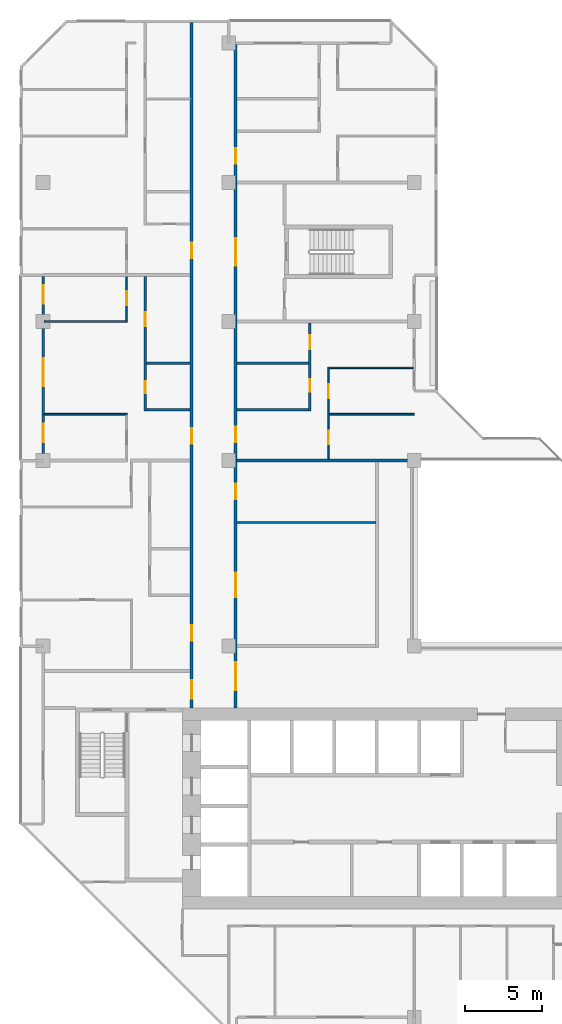
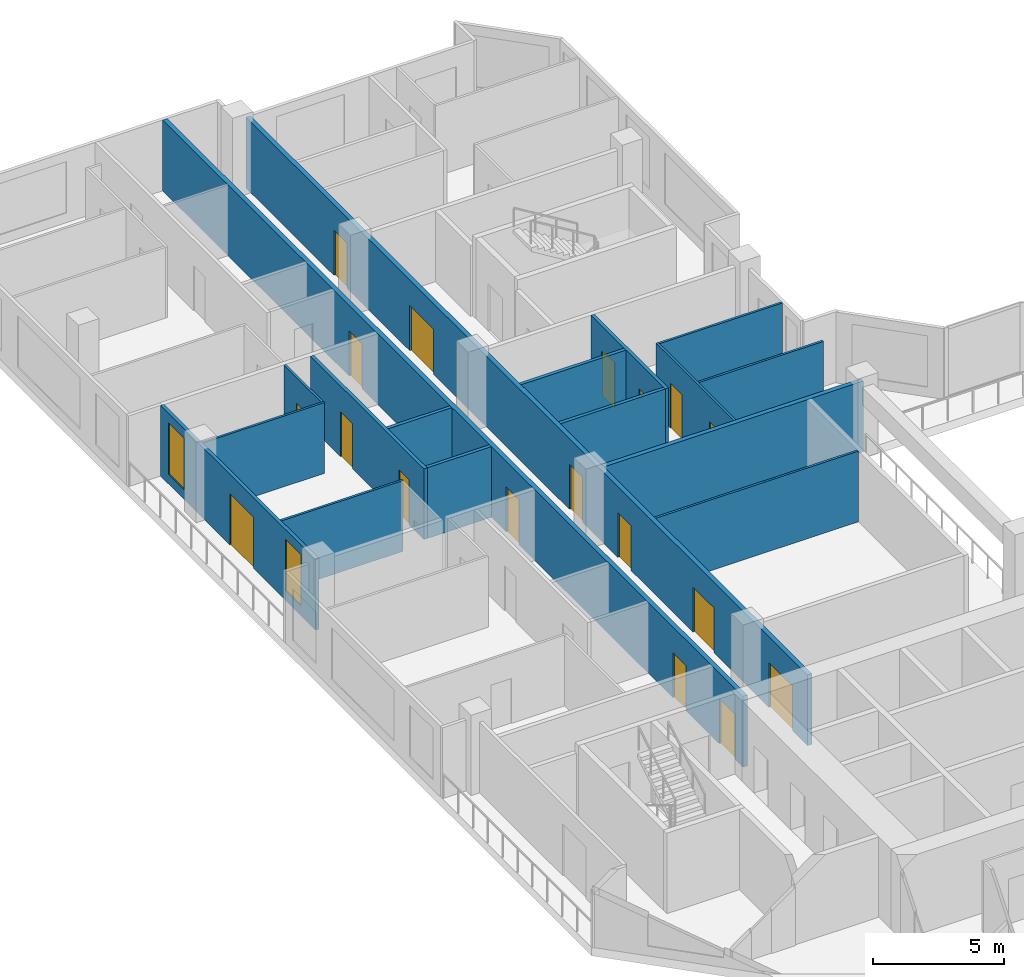
# One storey, part 9 of 15: 18 doors, 17 walls, 2 windows, 20 openings.
"""IFC4 building model written with IfcOpenShell, lengths in metres."""

from ifc_helpers import new_model, si_unit, direction, frame, frame_2d, origin, place, context, subcontext, project, spatial, rectangle, extrude, material, layer, layer_set, type_object, element, fill, save


model = new_model("IFC4")

# Units and contexts
model_context = context("Model", 3, precision=1e-05, world=origin(), true_north=direction((0.0, 1.0)))
body_context = subcontext(model_context, "Body", "Model", "MODEL_VIEW")
ifc_project = project(units=[si_unit("LENGTHUNIT", "METRE"), si_unit("AREAUNIT", "SQUARE_METRE"), si_unit("VOLUMEUNIT", "CUBIC_METRE"), si_unit("PLANEANGLEUNIT", "RADIAN"), si_unit("MASSUNIT", "GRAM", prefix="KILO")], contexts=[model_context])

# Site, building, storey
site_placement = place(None, origin())
site = spatial("IfcSite", under=ifc_project, at=site_placement, CompositionType="ELEMENT")
building_placement = place(site_placement, origin())
building = spatial("IfcBuilding", under=site, at=building_placement, Name="Chenar Terraces", CompositionType="ELEMENT")
storey_placement = place(building_placement, frame((0.0, 0.0, 202.39990234375)))
storey = spatial("IfcBuildingStorey", under=building, at=storey_placement, Name="L47", CompositionType="ELEMENT", Elevation=202.39990234375)

# Wall, openings, doors
ifc_material_1 = material(Name="Gypsum board on steel studs with fire boards", Category="steel")
ifc_layer_1 = layer(ifc_material_1, 0.199951171875)
ifc_layer_set_1 = layer_set([ifc_layer_1], Name="Gypsum board on steel studs with fire boards")
wall_type_1 = type_object("IfcWallType", Name="Corridor wall 200", PredefinedType="PARTITIONING", material=ifc_layer_set_1)
wall_1_placement = place(storey_placement, frame((9.60009765625, 20.0, 0.0), z_axis=(0.0, 0.0, 1.0), x_axis=(0.0, 1.0, 0.0)))
wall_1 = element("IfcWall", 1, at=wall_1_placement, inside=storey, type_object=wall_type_1, Name="Partition L47-033", PredefinedType="PARTITIONING", context=body_context, shape_type="SweptSolid", body=[
    extrude(rectangle(XDim=44.35009765625, YDim=0.199951171875, at=frame_2d((22.175048828125, 0.0))), origin(), (0.0, 0.0, 1.0), 3.300048828125),
])
opening_1_placement = place(wall_1_placement, frame((17.10009765625, 0.0, 0.0)))
opening_1 = element("IfcOpeningElement", 2, at=opening_1_placement, cuts=wall_1, Name="Opening DL47-29", PredefinedType="OPENING", context=body_context, shape_type="SweptSolid", body=[
    extrude(rectangle(XDim=1.0, YDim=2.10009765625, at=frame_2d((0.5, 1.050048828125))), frame((0.0, 0.10986328125, 0.0), z_axis=(0.0, -1.0, 0.0), x_axis=(1.0, 0.0, 0.0)), (0.0, 0.0, 1.0), 0.219970703125),
])
opening_2_placement = place(wall_1_placement, frame((29.10009765625, 0.0, 0.0)))
opening_2 = element("IfcOpeningElement", 3, at=opening_2_placement, cuts=wall_1, Name="Opening DL47-35", PredefinedType="OPENING", context=body_context, shape_type="SweptSolid", body=[
    extrude(rectangle(XDim=1.0, YDim=2.10009765625, at=frame_2d((0.5, 1.050048828125))), frame((0.0, 0.10986328125, 0.0), z_axis=(0.0, -1.0, 0.0), x_axis=(1.0, 0.0, 0.0)), (0.0, 0.0, 1.0), 0.219970703125),
])
opening_3_placement = place(wall_1_placement, frame((0.60009765625, 0.0, 0.0)))
opening_3 = element("IfcOpeningElement", 4, at=opening_3_placement, cuts=wall_1, Name="Opening DL47-39", PredefinedType="OPENING", context=body_context, shape_type="SweptSolid", body=[
    extrude(rectangle(XDim=1.199951171875, YDim=2.10009765625, at=frame_2d((0.60009765625, 1.050048828125))), frame((0.0, 0.10986328125, 0.0), z_axis=(0.0, -1.0, 0.0), x_axis=(1.0, 0.0, 0.0)), (0.0, 0.0, 1.0), 0.219970703125),
])
opening_4_placement = place(wall_1_placement, frame((4.35009765625, 0.0, 0.0)))
opening_4 = element("IfcOpeningElement", 5, at=opening_4_placement, cuts=wall_1, Name="Opening DL47-60", PredefinedType="OPENING", context=body_context, shape_type="SweptSolid", body=[
    extrude(rectangle(XDim=1.0, YDim=2.10009765625, at=frame_2d((0.5, 1.050048828125))), frame((0.0, 0.10986328125, 0.0), z_axis=(0.0, -1.0, 0.0), x_axis=(1.0, 0.0, 0.0)), (0.0, 0.0, 1.0), 0.219970703125),
])
ifc_material_2 = material(Name="Steel-framed fire-resisting door leaf", Category="steel")
door_type_1 = type_object("IfcDoorType", Name="Fire door FD30S 1000 x 2100", OperationType="SINGLE_SWING_LEFT", PredefinedType="DOOR", material=ifc_material_2)
door_1_placement = place(opening_1_placement, origin())
door_1 = element("IfcDoor", 6, at=door_1_placement, inside=storey, type_object=door_type_1, Name="Door DL47-29", OperationType="SINGLE_SWING_LEFT", OverallHeight=2.10009765625, OverallWidth=1.0, PredefinedType="DOOR", context=body_context, shape_type="SweptSolid", body=[
    extrude(rectangle(XDim=1.0, YDim=2.10009765625, at=frame_2d((0.5, 1.050048828125))), frame((0.0, 0.02490234375, 0.0), z_axis=(0.0, -1.0, 0.0), x_axis=(1.0, 0.0, 0.0)), (0.0, 0.0, 1.0), 0.050048828125),
])
fill(opening_1, door_1)
door_2_placement = place(opening_2_placement, origin())
door_2 = element("IfcDoor", 7, at=door_2_placement, inside=storey, type_object=door_type_1, Name="Door DL47-35", OperationType="SINGLE_SWING_LEFT", OverallHeight=2.10009765625, OverallWidth=1.0, PredefinedType="DOOR", context=body_context, shape_type="SweptSolid", body=[
    extrude(rectangle(XDim=1.0, YDim=2.10009765625, at=frame_2d((0.5, 1.050048828125))), frame((0.0, 0.02490234375, 0.0), z_axis=(0.0, -1.0, 0.0), x_axis=(1.0, 0.0, 0.0)), (0.0, 0.0, 1.0), 0.050048828125),
])
fill(opening_2, door_2)
door_3_placement = place(opening_4_placement, origin())
door_3 = element("IfcDoor", 8, at=door_3_placement, inside=storey, type_object=door_type_1, Name="Door DL47-60", OperationType="SINGLE_SWING_RIGHT", OverallHeight=2.10009765625, OverallWidth=1.0, PredefinedType="DOOR", context=body_context, shape_type="SweptSolid", body=[
    extrude(rectangle(XDim=1.0, YDim=2.10009765625, at=frame_2d((0.5, 1.050048828125))), frame((0.0, 0.02490234375, 0.0), z_axis=(0.0, -1.0, 0.0), x_axis=(1.0, 0.0, 0.0)), (0.0, 0.0, 1.0), 0.050048828125),
])
fill(opening_4, door_3)
ifc_material_3 = material(Name="Steel-framed fire-resisting door leaf", Category="steel")
door_type_2 = type_object("IfcDoorType", Name="Fire door FD30S 1200 x 2100", OperationType="SINGLE_SWING_LEFT", PredefinedType="DOOR", material=ifc_material_3)
door_4_placement = place(opening_3_placement, origin())
door_4 = element("IfcDoor", 9, at=door_4_placement, inside=storey, type_object=door_type_2, Name="Door DL47-39", OperationType="SINGLE_SWING_RIGHT", OverallHeight=2.10009765625, OverallWidth=1.199951171875, PredefinedType="DOOR", context=body_context, shape_type="SweptSolid", body=[
    extrude(rectangle(XDim=1.199951171875, YDim=2.10009765625, at=frame_2d((0.60009765625, 1.050048828125))), frame((0.0, 0.02490234375, 0.0), z_axis=(0.0, -1.0, 0.0), x_axis=(1.0, 0.0, 0.0)), (0.0, 0.0, 1.0), 0.050048828125),
])
fill(opening_3, door_4)

wall_2_placement = place(storey_placement, frame((12.449951171875, 20.0, 0.0), z_axis=(0.0, 0.0, 1.0), x_axis=(0.0, 1.0, 0.0)))
wall_2 = element("IfcWall", 10, at=wall_2_placement, inside=storey, type_object=wall_type_1, Name="Partition L47-036", PredefinedType="PARTITIONING", context=body_context, shape_type="SweptSolid", body=[
    extrude(rectangle(XDim=42.926025390625, YDim=0.199951171875, at=frame_2d((21.462890625, 0.0))), origin(), (0.0, 0.0, 1.0), 3.300048828125),
])
opening_5_placement = place(wall_2_placement, frame((7.14990234375, 0.0, 0.0)))
opening_5 = element("IfcOpeningElement", 11, at=opening_5_placement, cuts=wall_2, Name="Opening DL47-1", PredefinedType="OPENING", context=body_context, shape_type="SweptSolid", body=[
    extrude(rectangle(XDim=1.60009765625, YDim=2.10009765625, at=frame_2d((0.800048828125, 1.050048828125))), frame((0.0, 0.10986328125, 0.0), z_axis=(0.0, -1.0, 0.0), x_axis=(1.0, 0.0, 0.0)), (0.0, 0.0, 1.0), 0.219970703125),
])
opening_6_placement = place(wall_2_placement, frame((13.5, 0.0, 0.0)))
opening_6 = element("IfcOpeningElement", 12, at=opening_6_placement, cuts=wall_2, Name="Opening DL47-2", PredefinedType="OPENING", context=body_context, shape_type="SweptSolid", body=[
    extrude(rectangle(XDim=1.0, YDim=2.10009765625, at=frame_2d((0.5, 1.050048828125))), frame((0.0, 0.10986328125, 0.0), z_axis=(0.0, -1.0, 0.0), x_axis=(1.0, 0.0, 0.0)), (0.0, 0.0, 1.0), 0.219970703125),
])
opening_7_placement = place(wall_2_placement, frame((17.199951171875, 0.0, 0.0)))
opening_7 = element("IfcOpeningElement", 13, at=opening_7_placement, cuts=wall_2, Name="Opening DL47-19", PredefinedType="OPENING", context=body_context, shape_type="SweptSolid", body=[
    extrude(rectangle(XDim=1.0, YDim=2.10009765625, at=frame_2d((0.5, 1.050048828125))), frame((0.0, 0.10986328125, 0.0), z_axis=(0.0, -1.0, 0.0), x_axis=(1.0, 0.0, 0.0)), (0.0, 0.0, 1.0), 0.219970703125),
])
opening_8_placement = place(wall_2_placement, frame((35.199951171875, 0.0, 0.0)))
opening_8 = element("IfcOpeningElement", 14, at=opening_8_placement, cuts=wall_2, Name="Opening DL47-24", PredefinedType="OPENING", context=body_context, shape_type="SweptSolid", body=[
    extrude(rectangle(XDim=1.0, YDim=2.10009765625, at=frame_2d((0.5, 1.050048828125))), frame((0.0, 0.10986328125, 0.0), z_axis=(0.0, -1.0, 0.0), x_axis=(1.0, 0.0, 0.0)), (0.0, 0.0, 1.0), 0.219970703125),
])
opening_9_placement = place(wall_2_placement, frame((1.14990234375, 0.0, 0.0)))
opening_9 = element("IfcOpeningElement", 15, at=opening_9_placement, cuts=wall_2, Name="Opening DL47-38", PredefinedType="OPENING", context=body_context, shape_type="SweptSolid", body=[
    extrude(rectangle(XDim=1.800048828125, YDim=2.10009765625, at=frame_2d((0.89990234375, 1.050048828125))), frame((0.0, 0.10986328125, 0.0), z_axis=(0.0, -1.0, 0.0), x_axis=(1.0, 0.0, 0.0)), (0.0, 0.0, 1.0), 0.219970703125),
])
opening_10_placement = place(wall_2_placement, frame((28.60009765625, 0.0, 0.0)))
opening_10 = element("IfcOpeningElement", 16, at=opening_10_placement, cuts=wall_2, Name="Opening DL47-40", PredefinedType="OPENING", context=body_context, shape_type="SweptSolid", body=[
    extrude(rectangle(XDim=1.800048828125, YDim=2.10009765625, at=frame_2d((0.89990234375, 1.050048828125))), frame((0.0, 0.10986328125, 0.0), z_axis=(0.0, -1.0, 0.0), x_axis=(1.0, 0.0, 0.0)), (0.0, 0.0, 1.0), 0.219970703125),
])
ifc_material_4 = material(Name="Steel-framed fire-resisting door leaf", Category="steel")
door_type_3 = type_object("IfcDoorType", Name="Fire door FD60 1000 x 2100", OperationType="SINGLE_SWING_LEFT", PredefinedType="DOOR", material=ifc_material_4)
door_5_placement = place(opening_6_placement, frame((1.0, 0.0, 0.0), z_axis=(0.0, 0.0, 1.0), x_axis=(-1.0, 0.0, 0.0)))
door_5 = element("IfcDoor", 17, at=door_5_placement, inside=storey, type_object=door_type_3, Name="Door DL47-2", OperationType="SINGLE_SWING_LEFT", OverallHeight=2.10009765625, OverallWidth=1.0, PredefinedType="DOOR", context=body_context, shape_type="SweptSolid", body=[
    extrude(rectangle(XDim=1.0, YDim=2.10009765625, at=frame_2d((0.5, 1.050048828125))), frame((0.0, 0.02490234375, 0.0), z_axis=(0.0, -1.0, 0.0), x_axis=(1.0, 0.0, 0.0)), (0.0, 0.0, 1.0), 0.050048828125),
])
fill(opening_6, door_5)
door_6_placement = place(opening_7_placement, frame((1.0, 0.0, 0.0), z_axis=(0.0, 0.0, 1.0), x_axis=(-1.0, 0.0, 0.0)))
door_6 = element("IfcDoor", 18, at=door_6_placement, inside=storey, type_object=door_type_3, Name="Door DL47-19", OperationType="SINGLE_SWING_LEFT", OverallHeight=2.10009765625, OverallWidth=1.0, PredefinedType="DOOR", context=body_context, shape_type="SweptSolid", body=[
    extrude(rectangle(XDim=1.0, YDim=2.10009765625, at=frame_2d((0.5, 1.050048828125))), frame((0.0, 0.02490234375, 0.0), z_axis=(0.0, -1.0, 0.0), x_axis=(1.0, 0.0, 0.0)), (0.0, 0.0, 1.0), 0.050048828125),
])
fill(opening_7, door_6)
door_7_placement = place(opening_8_placement, frame((1.0, 0.0, 0.0), z_axis=(0.0, 0.0, 1.0), x_axis=(-1.0, 0.0, 0.0)))
door_7 = element("IfcDoor", 19, at=door_7_placement, inside=storey, type_object=door_type_3, Name="Door DL47-24", OperationType="SINGLE_SWING_LEFT", OverallHeight=2.10009765625, OverallWidth=1.0, PredefinedType="DOOR", context=body_context, shape_type="SweptSolid", body=[
    extrude(rectangle(XDim=1.0, YDim=2.10009765625, at=frame_2d((0.5, 1.050048828125))), frame((0.0, 0.02490234375, 0.0), z_axis=(0.0, -1.0, 0.0), x_axis=(1.0, 0.0, 0.0)), (0.0, 0.0, 1.0), 0.050048828125),
])
fill(opening_8, door_7)
ifc_material_5 = material(Name="Steel-framed fire-resisting door leaf", Category="steel")
door_type_4 = type_object("IfcDoorType", Name="Fire double door FD60 1600 x 2100", OperationType="DOUBLE_DOOR_SINGLE_SWING", PredefinedType="DOOR", material=ifc_material_5)
door_8_placement = place(opening_5_placement, frame((1.60009765625, 0.0, 0.0), z_axis=(0.0, 0.0, 1.0), x_axis=(-1.0, 0.0, 0.0)))
door_8 = element("IfcDoor", 20, at=door_8_placement, inside=storey, type_object=door_type_4, Name="Door DL47-1", OperationType="DOUBLE_DOOR_SINGLE_SWING", OverallHeight=2.10009765625, OverallWidth=1.60009765625, PredefinedType="DOOR", context=body_context, shape_type="SweptSolid", body=[
    extrude(rectangle(XDim=1.60009765625, YDim=2.10009765625, at=frame_2d((0.800048828125, 1.050048828125))), frame((0.0, 0.02490234375, 0.0), z_axis=(0.0, -1.0, 0.0), x_axis=(1.0, 0.0, 0.0)), (0.0, 0.0, 1.0), 0.050048828125),
])
fill(opening_5, door_8)
ifc_material_6 = material(Name="Steel-framed fire-resisting door leaf", Category="steel")
door_type_5 = type_object("IfcDoorType", Name="Fire double door FD60 1800 x 2100", OperationType="DOUBLE_DOOR_SINGLE_SWING", PredefinedType="DOOR", material=ifc_material_6)
door_9_placement = place(opening_9_placement, frame((1.800048828125, 0.0, 0.0), z_axis=(0.0, 0.0, 1.0), x_axis=(-1.0, 0.0, 0.0)))
door_9 = element("IfcDoor", 21, at=door_9_placement, inside=storey, type_object=door_type_5, Name="Door DL47-38", OperationType="DOUBLE_DOOR_SINGLE_SWING", OverallHeight=2.10009765625, OverallWidth=1.800048828125, PredefinedType="DOOR", context=body_context, shape_type="SweptSolid", body=[
    extrude(rectangle(XDim=1.800048828125, YDim=2.10009765625, at=frame_2d((0.89990234375, 1.050048828125))), frame((0.0, 0.02490234375, 0.0), z_axis=(0.0, -1.0, 0.0), x_axis=(1.0, 0.0, 0.0)), (0.0, 0.0, 1.0), 0.050048828125),
])
fill(opening_9, door_9)
door_10_placement = place(opening_10_placement, frame((1.800048828125, 0.0, 0.0), z_axis=(0.0, 0.0, 1.0), x_axis=(-1.0, 0.0, 0.0)))
door_10 = element("IfcDoor", 22, at=door_10_placement, inside=storey, type_object=door_type_5, Name="Door DL47-40", OperationType="DOUBLE_DOOR_SINGLE_SWING", OverallHeight=2.10009765625, OverallWidth=1.800048828125, PredefinedType="DOOR", context=body_context, shape_type="SweptSolid", body=[
    extrude(rectangle(XDim=1.800048828125, YDim=2.10009765625, at=frame_2d((0.89990234375, 1.050048828125))), frame((0.0, 0.02490234375, 0.0), z_axis=(0.0, -1.0, 0.0), x_axis=(1.0, 0.0, 0.0)), (0.0, 0.0, 1.0), 0.050048828125),
])
fill(opening_10, door_10)

# Wall, openings, windows, door
ifc_material_7 = material(Name="Aluminium framed glazing", Category="aluminium")
ifc_layer_2 = layer(ifc_material_7, 0.14990234375)
ifc_layer_set_2 = layer_set([ifc_layer_2], Name="Aluminium framed glazing")
wall_type_2 = type_object("IfcWallType", Name="Glazed loggia back wall 150", PredefinedType="SOLIDWALL", material=ifc_layer_set_2)
wall_3_placement = place(storey_placement, frame((0.0, 47.925048828125, 0.0), z_axis=(0.0, 0.0, 1.0), x_axis=(0.0, -1.0, 0.0)))
wall_3 = element("IfcWall", 23, at=wall_3_placement, inside=storey, type_object=wall_type_2, Name="Glazed loggia back wall", PredefinedType="SOLIDWALL", context=body_context, shape_type="SweptSolid", body=[
    extrude(rectangle(XDim=11.85009765625, YDim=0.14990234375, at=frame_2d((5.925048828125, 0.0))), origin(), (0.0, 0.0, 1.0), 3.300048828125),
])
opening_11_placement = place(wall_3_placement, frame((0.58740234375, 0.0, 0.449951171875)))
opening_11 = element("IfcOpeningElement", 24, at=opening_11_placement, cuts=wall_3, Name="Opening W120x240", PredefinedType="OPENING", context=body_context, shape_type="SweptSolid", body=[
    extrude(rectangle(XDim=1.199951171875, YDim=2.39990234375, at=frame_2d((0.60009765625, 1.199951171875))), frame((0.0, 0.0849609375, 0.0), z_axis=(0.0, -1.0, 0.0), x_axis=(1.0, 0.0, 0.0)), (0.0, 0.0, 1.0), 0.169921875),
])
opening_12_placement = place(wall_3_placement, frame((5.300048828125, 0.0, 0.0)))
opening_12 = element("IfcOpeningElement", 25, at=opening_12_placement, cuts=wall_3, Name="Opening DL47-G3", PredefinedType="OPENING", context=body_context, shape_type="SweptSolid", body=[
    extrude(rectangle(XDim=1.800048828125, YDim=2.39990234375, at=frame_2d((0.89990234375, 1.199951171875))), frame((0.0, 0.0849609375, 0.0), z_axis=(0.0, -1.0, 0.0), x_axis=(1.0, 0.0, 0.0)), (0.0, 0.0, 1.0), 0.169921875),
])
opening_13_placement = place(wall_3_placement, frame((9.550048828125, 0.0, 0.449951171875)))
opening_13 = element("IfcOpeningElement", 26, at=opening_13_placement, cuts=wall_3, Name="Opening W120x240", PredefinedType="OPENING", context=body_context, shape_type="SweptSolid", body=[
    extrude(rectangle(XDim=1.199951171875, YDim=2.39990234375, at=frame_2d((0.60009765625, 1.199951171875))), frame((0.0, 0.0849609375, 0.0), z_axis=(0.0, -1.0, 0.0), x_axis=(1.0, 0.0, 0.0)), (0.0, 0.0, 1.0), 0.169921875),
])
ifc_material_8 = material(Name="Low emissivity double glazing, aluminium frame", Category="aluminium")
window_type = type_object("IfcWindowType", Name="Fixed light 1200 x 2400", PartitioningType="SINGLE_PANEL", PredefinedType="WINDOW", material=ifc_material_8)
window_1_placement = place(opening_11_placement, origin())
window_1 = element("IfcWindow", 27, at=window_1_placement, inside=storey, type_object=window_type, Name="Window", OverallHeight=2.39990234375, OverallWidth=1.199951171875, PartitioningType="SINGLE_PANEL", PredefinedType="WINDOW", context=body_context, shape_type="SweptSolid", body=[
    extrude(rectangle(XDim=1.199951171875, YDim=2.39990234375, at=frame_2d((0.60009765625, 1.199951171875))), frame((0.0, 0.030029296875, 0.0), z_axis=(0.0, -1.0, 0.0), x_axis=(1.0, 0.0, 0.0)), (0.0, 0.0, 1.0), 0.06005859375),
])
fill(opening_11, window_1)
window_2_placement = place(opening_13_placement, origin())
window_2 = element("IfcWindow", 28, at=window_2_placement, inside=storey, type_object=window_type, Name="Window", OverallHeight=2.39990234375, OverallWidth=1.199951171875, PartitioningType="SINGLE_PANEL", PredefinedType="WINDOW", context=body_context, shape_type="SweptSolid", body=[
    extrude(rectangle(XDim=1.199951171875, YDim=2.39990234375, at=frame_2d((0.60009765625, 1.199951171875))), frame((0.0, 0.030029296875, 0.0), z_axis=(0.0, -1.0, 0.0), x_axis=(1.0, 0.0, 0.0)), (0.0, 0.0, 1.0), 0.06005859375),
])
fill(opening_13, window_2)
ifc_material_9 = material(Name="Low emissivity double glazing, aluminium frame", Category="aluminium")
door_type_6 = type_object("IfcDoorType", Name="Loggia glazed double door 1800 x 2400", OperationType="DOUBLE_DOOR_SINGLE_SWING", PredefinedType="DOOR", material=ifc_material_9)
door_11_placement = place(opening_12_placement, frame((1.800048828125, 0.0, 0.0), z_axis=(0.0, 0.0, 1.0), x_axis=(-1.0, 0.0, 0.0)))
door_11 = element("IfcDoor", 29, at=door_11_placement, inside=storey, type_object=door_type_6, Name="Loggia glazed door", OperationType="DOUBLE_DOOR_SINGLE_SWING", OverallHeight=2.39990234375, OverallWidth=1.800048828125, PredefinedType="DOOR", context=body_context, shape_type="SweptSolid", body=[
    extrude(rectangle(XDim=1.800048828125, YDim=2.39990234375, at=frame_2d((0.89990234375, 1.199951171875))), frame((0.0, 0.02490234375, 0.0), z_axis=(0.0, -1.0, 0.0), x_axis=(1.0, 0.0, 0.0)), (0.0, 0.0, 1.0), 0.050048828125),
])
fill(opening_12, door_11)

# Walls
ifc_material_10 = material(Name="Gypsum board on steel studs", Category="steel")
ifc_layer_3 = layer(ifc_material_10, 0.10009765625)
ifc_layer_set_3 = layer_set([ifc_layer_3], Name="Gypsum board on steel studs")
wall_type_3 = type_object("IfcWallType", Name="Gypsum partition 100", PredefinedType="PARTITIONING", material=ifc_layer_set_3)
for number, where, z_axis, x_axis, name in (
    (30, (0.073974609375, 39.0, 0.0), (0.0, 0.0, 1.0), (1.0, 0.0, 0.0), "Partition L47-010"),
    (31, (0.073974609375, 45.0, 0.0), (0.0, 0.0, 1.0), (1.0, 0.0, 0.0), "Partition L47-011"),
):
    element("IfcWall", number, at=place(storey_placement, frame(where, z_axis=z_axis, x_axis=x_axis)), inside=storey, type_object=wall_type_3, Name=name, PredefinedType="PARTITIONING", context=body_context, shape_type="SweptSolid", body=[
        extrude(rectangle(XDim=5.3759765625, YDim=0.10009765625, at=frame_2d((2.68798828125, 0.0))), origin(), (0.0, 0.0, 1.0), 3.300048828125),
    ])

# Wall, opening, door
wall_4_placement = place(storey_placement, frame((5.39990234375, 45.050048828125, 0.0), z_axis=(0.0, 0.0, 1.0), x_axis=(0.0, 1.0, 0.0)))
wall_4 = element("IfcWall", 32, at=wall_4_placement, inside=storey, type_object=wall_type_3, Name="Partition L47-014", PredefinedType="PARTITIONING", context=body_context, shape_type="SweptSolid", body=[
    extrude(rectangle(XDim=2.849853515625, YDim=0.10009765625, at=frame_2d((1.4248046875, 0.0))), origin(), (0.0, 0.0, 1.0), 3.300048828125),
])
opening_14_placement = place(wall_4_placement, frame((1.0, 0.0, 0.0)))
opening_14 = element("IfcOpeningElement", 33, at=opening_14_placement, cuts=wall_4, Name="Opening DL47-27", PredefinedType="OPENING", context=body_context, shape_type="SweptSolid", body=[
    extrude(rectangle(XDim=0.89990234375, YDim=2.10009765625, at=frame_2d((0.449951171875, 1.050048828125))), frame((0.0, 0.06005859375, 0.0), z_axis=(0.0, -1.0, 0.0), x_axis=(1.0, 0.0, 0.0)), (0.0, 0.0, 1.0), 0.1201171875),
])
ifc_material_11 = material(Name="Veneered timber door leaf", Category="wood")
door_type_7 = type_object("IfcDoorType", Name="Door 900 x 2100", OperationType="SINGLE_SWING_LEFT", PredefinedType="DOOR", material=ifc_material_11)
door_12_placement = place(opening_14_placement, origin())
door_12 = element("IfcDoor", 34, at=door_12_placement, inside=storey, type_object=door_type_7, Name="Door DL47-27", OperationType="SINGLE_SWING_RIGHT", OverallHeight=2.10009765625, OverallWidth=0.89990234375, PredefinedType="DOOR", context=body_context, shape_type="SweptSolid", body=[
    extrude(rectangle(XDim=0.89990234375, YDim=2.10009765625, at=frame_2d((0.449951171875, 1.050048828125))), frame((0.0, 0.02490234375, 0.0), z_axis=(0.0, -1.0, 0.0), x_axis=(1.0, 0.0, 0.0)), (0.0, 0.0, 1.0), 0.050048828125),
])
fill(opening_14, door_12)

# Wall
wall_5_placement = place(storey_placement, frame((12.550048828125, 32.0, 0.0), z_axis=(0.0, 0.0, 1.0), x_axis=(1.0, 0.0, 0.0)))
element("IfcWall", 35, at=wall_5_placement, inside=storey, type_object=wall_type_3, Name="Partition L47-038", PredefinedType="PARTITIONING", context=body_context, shape_type="SweptSolid", body=[
    extrude(rectangle(XDim=8.949951171875, YDim=0.10009765625, at=frame_2d((4.47509765625, 0.0))), origin(), (0.0, 0.0, 1.0), 3.300048828125),
])

# Wall, openings, doors
wall_6_placement = place(storey_placement, frame((18.449951171875, 36.10009765625, 0.0), z_axis=(0.0, 0.0, 1.0), x_axis=(0.0, 1.0, 0.0)))
wall_6 = element("IfcWall", 36, at=wall_6_placement, inside=storey, type_object=wall_type_3, Name="Partition L47-051", PredefinedType="PARTITIONING", context=body_context, shape_type="SweptSolid", body=[
    extrude(rectangle(XDim=5.949951171875, YDim=0.10009765625, at=frame_2d((2.97509765625, 0.0))), origin(), (0.0, 0.0, 1.0), 3.300048828125),
])
opening_15_placement = place(wall_6_placement, frame((0.949951171875, 0.0, 0.0)))
opening_15 = element("IfcOpeningElement", 37, at=opening_15_placement, cuts=wall_6, Name="Opening DL47-16", PredefinedType="OPENING", context=body_context, shape_type="SweptSolid", body=[
    extrude(rectangle(XDim=0.89990234375, YDim=2.10009765625, at=frame_2d((0.449951171875, 1.050048828125))), frame((0.0, 0.06005859375, 0.0), z_axis=(0.0, -1.0, 0.0), x_axis=(1.0, 0.0, 0.0)), (0.0, 0.0, 1.0), 0.1201171875),
])
opening_16_placement = place(wall_6_placement, frame((3.949951171875, 0.0, 0.0)))
opening_16 = element("IfcOpeningElement", 38, at=opening_16_placement, cuts=wall_6, Name="Opening DL47-17", PredefinedType="OPENING", context=body_context, shape_type="SweptSolid", body=[
    extrude(rectangle(XDim=0.89990234375, YDim=2.10009765625, at=frame_2d((0.449951171875, 1.050048828125))), frame((0.0, 0.06005859375, 0.0), z_axis=(0.0, -1.0, 0.0), x_axis=(1.0, 0.0, 0.0)), (0.0, 0.0, 1.0), 0.1201171875),
])
door_13_placement = place(opening_15_placement, frame((0.89990234375, 0.0, 0.0), z_axis=(0.0, 0.0, 1.0), x_axis=(-1.0, 0.0, 0.0)))
door_13 = element("IfcDoor", 39, at=door_13_placement, inside=storey, type_object=door_type_7, Name="Door DL47-16", OperationType="SINGLE_SWING_LEFT", OverallHeight=2.10009765625, OverallWidth=0.89990234375, PredefinedType="DOOR", context=body_context, shape_type="SweptSolid", body=[
    extrude(rectangle(XDim=0.89990234375, YDim=2.10009765625, at=frame_2d((0.449951171875, 1.050048828125))), frame((0.0, 0.02490234375, 0.0), z_axis=(0.0, -1.0, 0.0), x_axis=(1.0, 0.0, 0.0)), (0.0, 0.0, 1.0), 0.050048828125),
])
fill(opening_15, door_13)
door_14_placement = place(opening_16_placement, frame((0.89990234375, 0.0, 0.0), z_axis=(0.0, 0.0, 1.0), x_axis=(-1.0, 0.0, 0.0)))
door_14 = element("IfcDoor", 40, at=door_14_placement, inside=storey, type_object=door_type_7, Name="Door DL47-17", OperationType="SINGLE_SWING_LEFT", OverallHeight=2.10009765625, OverallWidth=0.89990234375, PredefinedType="DOOR", context=body_context, shape_type="SweptSolid", body=[
    extrude(rectangle(XDim=0.89990234375, YDim=2.10009765625, at=frame_2d((0.449951171875, 1.050048828125))), frame((0.0, 0.02490234375, 0.0), z_axis=(0.0, -1.0, 0.0), x_axis=(1.0, 0.0, 0.0)), (0.0, 0.0, 1.0), 0.050048828125),
])
fill(opening_16, door_14)

# Walls
wall_7_placement = place(storey_placement, frame((18.5, 39.0, 0.0), z_axis=(0.0, 0.0, 1.0), x_axis=(1.0, 0.0, 0.0)))
element("IfcWall", 41, at=wall_7_placement, inside=storey, type_object=wall_type_3, Name="Partition L47-052", PredefinedType="PARTITIONING", context=body_context, shape_type="SweptSolid", body=[
    extrude(rectangle(XDim=5.5, YDim=0.10009765625, at=frame_2d((2.75, 0.0))), origin(), (0.0, 0.0, 1.0), 3.300048828125),
])
wall_8_placement = place(storey_placement, frame((18.5, 42.0, 0.0), z_axis=(0.0, 0.0, 1.0), x_axis=(1.0, 0.0, 0.0)))
element("IfcWall", 42, at=wall_8_placement, inside=storey, type_object=wall_type_3, Name="Partition L47-053", PredefinedType="PARTITIONING", context=body_context, shape_type="SweptSolid", body=[
    extrude(rectangle(XDim=5.426025390625, YDim=0.10009765625, at=frame_2d((2.712890625, 0.0))), origin(), (0.0, 0.0, 1.0), 3.300048828125),
])
ifc_material_12 = material(Name="Twin gypsum board on steel studs with mineral wool", Category="steel")
ifc_layer_4 = layer(ifc_material_12, 0.199951171875)
ifc_layer_set_4 = layer_set([ifc_layer_4], Name="Twin gypsum board on steel studs with mineral wool")
wall_type_4 = type_object("IfcWallType", Name="Unit demising wall 200", PredefinedType="PARTITIONING", material=ifc_layer_set_4)
wall_9_placement = place(storey_placement, frame((12.550048828125, 36.0, 0.0), z_axis=(0.0, 0.0, 1.0), x_axis=(1.0, 0.0, 0.0)))
element("IfcWall", 43, at=wall_9_placement, inside=storey, type_object=wall_type_4, Name="Partition L47-039", PredefinedType="PARTITIONING", context=body_context, shape_type="SweptSolid", body=[
    extrude(rectangle(XDim=11.449951171875, YDim=0.199951171875, at=frame_2d((5.72509765625, 0.0))), origin(), (0.0, 0.0, 1.0), 3.300048828125),
])

# Wall, openings, doors
ifc_material_13 = material(Name="Moisture-resistant gypsum board on steel studs", Category="steel")
ifc_layer_5 = layer(ifc_material_13, 0.14990234375)
ifc_layer_set_5 = layer_set([ifc_layer_5], Name="Moisture-resistant gypsum board on steel studs")
wall_type_5 = type_object("IfcWallType", Name="Wet-room partition 150", PredefinedType="PARTITIONING", material=ifc_layer_set_5)
wall_10_placement = place(storey_placement, frame((6.60009765625, 39.22509765625, 0.0), z_axis=(0.0, 0.0, 1.0), x_axis=(0.0, 1.0, 0.0)))
wall_10 = element("IfcWall", 44, at=wall_10_placement, inside=storey, type_object=wall_type_5, Name="Partition L47-021", PredefinedType="PARTITIONING", context=body_context, shape_type="SweptSolid", body=[
    extrude(rectangle(XDim=8.6748046875, YDim=0.14990234375, at=frame_2d((4.33740234375, 0.0))), origin(), (0.0, 0.0, 1.0), 3.300048828125),
])
opening_17_placement = place(wall_10_placement, frame((1.125, 0.0, 0.0)))
opening_17 = element("IfcOpeningElement", 45, at=opening_17_placement, cuts=wall_10, Name="Opening DL47-25", PredefinedType="OPENING", context=body_context, shape_type="SweptSolid", body=[
    extrude(rectangle(XDim=0.800048828125, YDim=2.10009765625, at=frame_2d((0.39990234375, 1.050048828125))), frame((0.0, 0.0849609375, 0.0), z_axis=(0.0, -1.0, 0.0), x_axis=(1.0, 0.0, 0.0)), (0.0, 0.0, 1.0), 0.169921875),
])
opening_18_placement = place(wall_10_placement, frame((5.47509765625, 0.0, 0.0)))
opening_18 = element("IfcOpeningElement", 46, at=opening_18_placement, cuts=wall_10, Name="Opening DL47-28", PredefinedType="OPENING", context=body_context, shape_type="SweptSolid", body=[
    extrude(rectangle(XDim=0.89990234375, YDim=2.10009765625, at=frame_2d((0.449951171875, 1.050048828125))), frame((0.0, 0.0849609375, 0.0), z_axis=(0.0, -1.0, 0.0), x_axis=(1.0, 0.0, 0.0)), (0.0, 0.0, 1.0), 0.169921875),
])
ifc_material_14 = material(Name="Veneered timber door leaf", Category="wood")
door_type_8 = type_object("IfcDoorType", Name="Door 800 x 2100", OperationType="SINGLE_SWING_LEFT", PredefinedType="DOOR", material=ifc_material_14)
door_15_placement = place(opening_17_placement, frame((0.800048828125, 0.0, 0.0), z_axis=(0.0, 0.0, 1.0), x_axis=(-1.0, 0.0, 0.0)))
door_15 = element("IfcDoor", 47, at=door_15_placement, inside=storey, type_object=door_type_8, Name="Door DL47-25", OperationType="SINGLE_SWING_RIGHT", OverallHeight=2.10009765625, OverallWidth=0.800048828125, PredefinedType="DOOR", context=body_context, shape_type="SweptSolid", body=[
    extrude(rectangle(XDim=0.800048828125, YDim=2.10009765625, at=frame_2d((0.39990234375, 1.050048828125))), frame((0.0, 0.02490234375, 0.0), z_axis=(0.0, -1.0, 0.0), x_axis=(1.0, 0.0, 0.0)), (0.0, 0.0, 1.0), 0.050048828125),
])
fill(opening_17, door_15)
door_16_placement = place(opening_18_placement, frame((0.89990234375, 0.0, 0.0), z_axis=(0.0, 0.0, 1.0), x_axis=(-1.0, 0.0, 0.0)))
door_16 = element("IfcDoor", 48, at=door_16_placement, inside=storey, type_object=door_type_7, Name="Door DL47-28", OperationType="SINGLE_SWING_RIGHT", OverallHeight=2.10009765625, OverallWidth=0.89990234375, PredefinedType="DOOR", context=body_context, shape_type="SweptSolid", body=[
    extrude(rectangle(XDim=0.89990234375, YDim=2.10009765625, at=frame_2d((0.449951171875, 1.050048828125))), frame((0.0, 0.02490234375, 0.0), z_axis=(0.0, -1.0, 0.0), x_axis=(1.0, 0.0, 0.0)), (0.0, 0.0, 1.0), 0.050048828125),
])
fill(opening_18, door_16)

# Walls
for number, where, z_axis, x_axis, name in (
    (49, (6.675048828125, 39.300048828125, 0.0), (0.0, 0.0, 1.0), (1.0, 0.0, 0.0), "Partition L47-023"),
    (50, (6.675048828125, 42.300048828125, 0.0), (0.0, 0.0, 1.0), (1.0, 0.0, 0.0), "Partition L47-024"),
):
    element("IfcWall", number, at=place(storey_placement, frame(where, z_axis=z_axis, x_axis=x_axis)), inside=storey, type_object=wall_type_5, Name=name, PredefinedType="PARTITIONING", context=body_context, shape_type="SweptSolid", body=[
        extrude(rectangle(XDim=2.824951171875, YDim=0.14990234375, at=frame_2d((1.41259765625, 0.0))), origin(), (0.0, 0.0, 1.0), 3.300048828125),
    ])
for number, where, z_axis, x_axis, name in (
    (51, (12.550048828125, 39.300048828125, 0.0), (0.0, 0.0, 1.0), (1.0, 0.0, 0.0), "Partition L47-040"),
    (52, (12.550048828125, 42.300048828125, 0.0), (0.0, 0.0, 1.0), (1.0, 0.0, 0.0), "Partition L47-041"),
):
    element("IfcWall", number, at=place(storey_placement, frame(where, z_axis=z_axis, x_axis=x_axis)), inside=storey, type_object=wall_type_5, Name=name, PredefinedType="PARTITIONING", context=body_context, shape_type="SweptSolid", body=[
        extrude(rectangle(XDim=4.625, YDim=0.14990234375, at=frame_2d((2.3125, 0.0))), origin(), (0.0, 0.0, 1.0), 3.300048828125),
    ])

# Wall, openings, doors
wall_11_placement = place(storey_placement, frame((17.25, 39.22509765625, 0.0), z_axis=(0.0, 0.0, 1.0), x_axis=(0.0, 1.0, 0.0)))
wall_11 = element("IfcWall", 53, at=wall_11_placement, inside=storey, type_object=wall_type_5, Name="Partition L47-049", PredefinedType="PARTITIONING", context=body_context, shape_type="SweptSolid", body=[
    extrude(rectangle(XDim=5.6748046875, YDim=0.14990234375, at=frame_2d((2.83740234375, 0.0))), origin(), (0.0, 0.0, 1.0), 3.300048828125),
])
opening_19_placement = place(wall_11_placement, frame((1.22509765625, 0.0, 0.0)))
opening_19 = element("IfcOpeningElement", 54, at=opening_19_placement, cuts=wall_11, Name="Opening DL47-15", PredefinedType="OPENING", context=body_context, shape_type="SweptSolid", body=[
    extrude(rectangle(XDim=0.800048828125, YDim=2.10009765625, at=frame_2d((0.39990234375, 1.050048828125))), frame((0.0, 0.0849609375, 0.0), z_axis=(0.0, -1.0, 0.0), x_axis=(1.0, 0.0, 0.0)), (0.0, 0.0, 1.0), 0.169921875),
])
opening_20_placement = place(wall_11_placement, frame((3.97509765625, 0.0, 0.0)))
opening_20 = element("IfcOpeningElement", 55, at=opening_20_placement, cuts=wall_11, Name="Opening DL47-18", PredefinedType="OPENING", context=body_context, shape_type="SweptSolid", body=[
    extrude(rectangle(XDim=0.89990234375, YDim=2.10009765625, at=frame_2d((0.449951171875, 1.050048828125))), frame((0.0, 0.0849609375, 0.0), z_axis=(0.0, -1.0, 0.0), x_axis=(1.0, 0.0, 0.0)), (0.0, 0.0, 1.0), 0.169921875),
])
door_17_placement = place(opening_19_placement, origin())
door_17 = element("IfcDoor", 56, at=door_17_placement, inside=storey, type_object=door_type_8, Name="Door DL47-15", OperationType="SINGLE_SWING_RIGHT", OverallHeight=2.10009765625, OverallWidth=0.800048828125, PredefinedType="DOOR", context=body_context, shape_type="SweptSolid", body=[
    extrude(rectangle(XDim=0.800048828125, YDim=2.10009765625, at=frame_2d((0.39990234375, 1.050048828125))), frame((0.0, 0.02490234375, 0.0), z_axis=(0.0, -1.0, 0.0), x_axis=(1.0, 0.0, 0.0)), (0.0, 0.0, 1.0), 0.050048828125),
])
fill(opening_19, door_17)
door_18_placement = place(opening_20_placement, origin())
door_18 = element("IfcDoor", 57, at=door_18_placement, inside=storey, type_object=door_type_7, Name="Door DL47-18", OperationType="SINGLE_SWING_RIGHT", OverallHeight=2.10009765625, OverallWidth=0.89990234375, PredefinedType="DOOR", context=body_context, shape_type="SweptSolid", body=[
    extrude(rectangle(XDim=0.89990234375, YDim=2.10009765625, at=frame_2d((0.449951171875, 1.050048828125))), frame((0.0, 0.02490234375, 0.0), z_axis=(0.0, -1.0, 0.0), x_axis=(1.0, 0.0, 0.0)), (0.0, 0.0, 1.0), 0.050048828125),
])
fill(opening_20, door_18)

save(model, "model.ifc")
